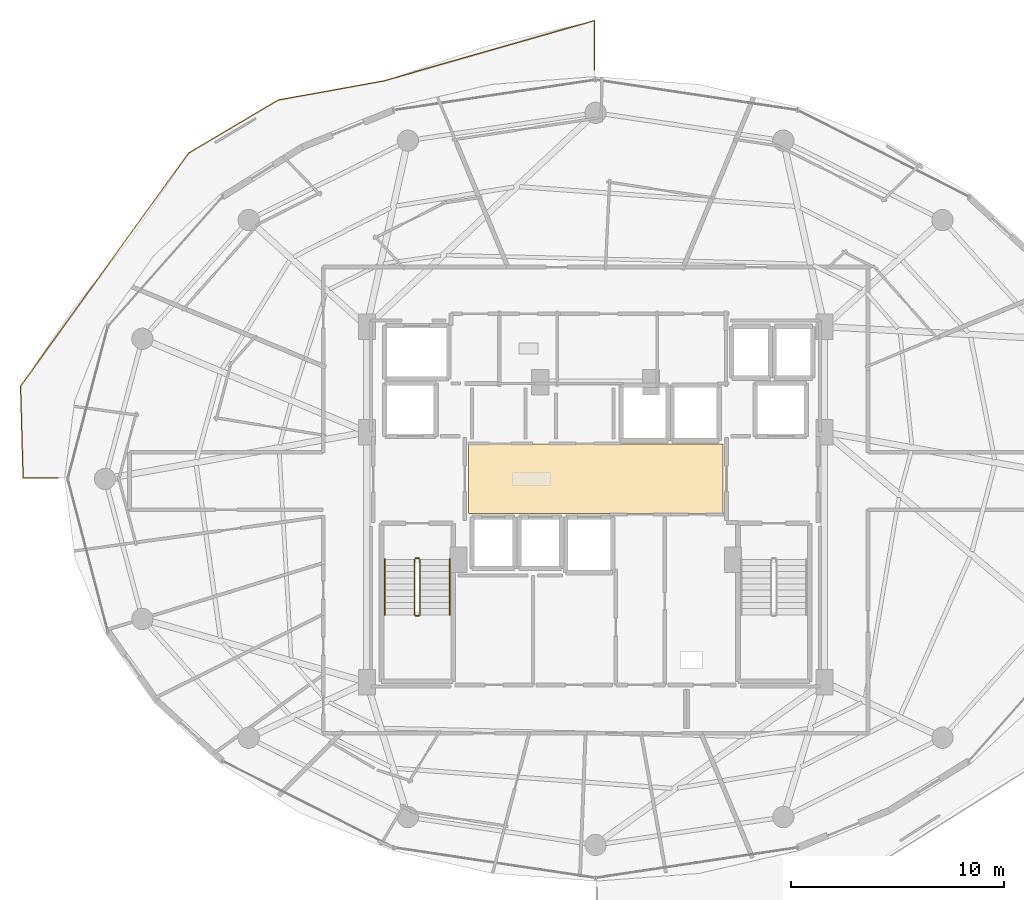
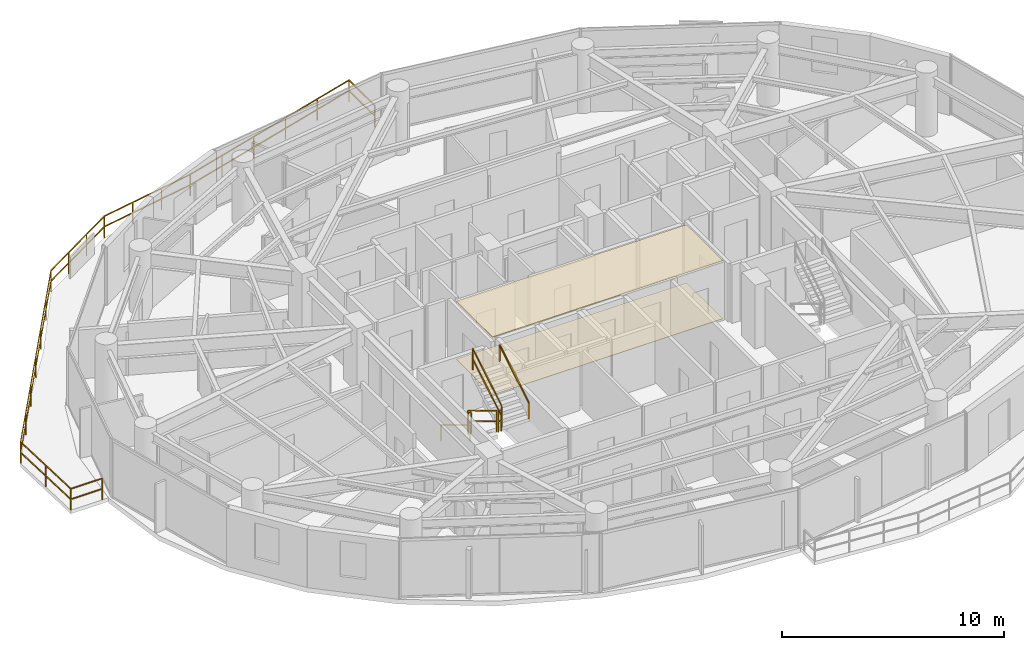
# One storey, part 26 of 29: 8 railings, 2 coverings.
"""IFC4 building model written with IfcOpenShell, lengths in metres."""

from ifc_helpers import new_model, si_unit, direction, frame, origin, origin_2d, place, context, subcontext, project, spatial, polyline, rectangle, outline, extrude, material, layer, layer_set, type_object, element, save


model = new_model("IFC4")

# Units and contexts
model_context = context("Model", 3, precision=1e-05, world=origin(), true_north=direction((0.0, 1.0)))
body_context = subcontext(model_context, "Body", "Model", "MODEL_VIEW")
ifc_project = project(units=[si_unit("LENGTHUNIT", "METRE"), si_unit("AREAUNIT", "SQUARE_METRE"), si_unit("VOLUMEUNIT", "CUBIC_METRE"), si_unit("PLANEANGLEUNIT", "RADIAN"), si_unit("MASSUNIT", "GRAM", prefix="KILO")], contexts=[model_context])

# Site, building, storey
site_placement = place(None, origin())
site = spatial("IfcSite", under=ifc_project, at=site_placement, CompositionType="ELEMENT")
building_placement = place(site_placement, origin())
building = spatial("IfcBuilding", under=site, at=building_placement, Name="Vorneva Point Tower", CompositionType="ELEMENT")
storey_placement = place(building_placement, frame((0.0, 0.0, 171.10009765625)))
storey = spatial("IfcBuildingStorey", under=building, at=storey_placement, Name="L46", CompositionType="ELEMENT", Elevation=171.10009765625)

# Coverings
ifc_material_1 = material(Name="Perforated acoustic aluminium baffle ceiling", Category="aluminium")
ifc_layer_1 = layer(ifc_material_1, 0.030029296875)
ifc_layer_set_1 = layer_set([ifc_layer_1], Name="Perforated acoustic aluminium baffle ceiling")
covering_type_1 = type_object("IfcCoveringType", Name="COV-CEIL-BAF", PredefinedType="CEILING", material=ifc_layer_set_1)
covering_1_placement = place(storey_placement, frame((0.0, 0.0, 3.169921875)))
element("IfcCovering", 1, at=covering_1_placement, inside=storey, type_object=covering_type_1, Name="L46 Lift Lobby Acoustic Baffle Ceiling", PredefinedType="CEILING", context=body_context, shape_type="SweptSolid", body=[
    extrude(outline(polyline([(32.02001953125, 24.3701171875), (43.97998046875, 24.3701171875), (43.97998046875, 27.6298828125), (32.02001953125, 27.6298828125), (32.02001953125, 24.3701171875)])), origin(), (0.0, 0.0, 1.0), 0.034912109375),
])
ifc_material_2 = material(Name="Acoustic wool hospitality carpet", Category="textile")
ifc_layer_2 = layer(ifc_material_2, 0.01806640625)
ifc_layer_set_2 = layer_set([ifc_layer_2], Name="Acoustic wool hospitality carpet")
covering_type_2 = type_object("IfcCoveringType", Name="COV-FLR-CRP", PredefinedType="FLOORING", material=ifc_layer_set_2)
covering_2_placement = place(storey_placement, frame((0.0, 0.0, -0.005126953125)))
element("IfcCovering", 2, at=covering_2_placement, inside=storey, type_object=covering_type_2, Name="L46 Lift Lobby Floor Finish", PredefinedType="FLOORING", context=body_context, shape_type="SweptSolid", body=[
    extrude(outline(polyline([(32.02001953125, 24.3701171875), (43.97998046875, 24.3701171875), (43.97998046875, 27.6298828125), (32.02001953125, 27.6298828125), (32.02001953125, 24.3701171875)])), origin(), (0.0, 0.0, 1.0), 0.02294921875),
])

# Railings
ifc_material_3 = material(Name="Pale anodised aluminium", Category="aluminium")
railing_type_1 = type_object("IfcRailingType", Name="RL-BAL-1200", PredefinedType="BALUSTRADE", material=ifc_material_3)
railing_1_placement = place(storey_placement, frame((11.0986328125, 26.050048828125, 0.0)))
element("IfcRailing", 3, at=railing_1_placement, inside=storey, type_object=railing_type_1, Name="L46 Wave Balcony Balustrade NW.1", PredefinedType="BALUSTRADE", context=body_context, shape_type="SweptSolid", body=[
    extrude(rectangle(XDim=0.048095703125, YDim=0.048095703125, at=origin_2d()), frame((0.0, 0.0, 1.17578125), z_axis=(1.0, 0.0, 0.0), x_axis=(0.0, 1.0, 0.0)), (0.0, 0.0, 1.0), 1.63525390625),
    extrude(rectangle(XDim=0.048095703125, YDim=0.048095703125, at=origin_2d()), frame((0.0, 0.0, 0.60009765625), z_axis=(1.0, 0.0, 0.0), x_axis=(0.0, 1.0, 0.0)), (0.0, 0.0, 1.0), 1.63525390625),
    extrude(rectangle(XDim=0.0419921875, YDim=0.0419921875, at=origin_2d()), origin(), (0.0, 0.0, 1.0), 1.15185546875),
    extrude(rectangle(XDim=0.0419921875, YDim=0.0419921875, at=origin_2d()), frame((1.63525390625, 0.0, 0.0)), (0.0, 0.0, 1.0), 1.15185546875),
])
railing_2_placement = place(storey_placement, frame((37.949951171875, 45.21728515625, 0.0)))
element("IfcRailing", 4, at=railing_2_placement, inside=storey, type_object=railing_type_1, Name="L46 Wave Balcony Balustrade NW.2", PredefinedType="BALUSTRADE", context=body_context, shape_type="SweptSolid", body=[
    extrude(rectangle(XDim=0.048095703125, YDim=0.048095703125, at=origin_2d()), frame((0.0, 0.0, 1.17578125), z_axis=(0.0, 1.0, 0.0), x_axis=(-1.0, 0.0, 0.0)), (0.0, 0.0, 1.0), 2.32080078125),
    extrude(rectangle(XDim=0.048095703125, YDim=0.048095703125, at=origin_2d()), frame((0.0, 0.0, 0.60009765625), z_axis=(0.0, 1.0, 0.0), x_axis=(-1.0, 0.0, 0.0)), (0.0, 0.0, 1.0), 2.32080078125),
    extrude(rectangle(XDim=0.048095703125, YDim=0.048095703125, at=origin_2d()), frame((0.0, 2.32080078125, 1.17578125), z_axis=(-0.961314976181, -0.275451477706, 0.0), x_axis=(0.275451477706, -0.961314976181, 0.0)), (0.0, 0.0, 1.0), 10.285888671875),
    extrude(rectangle(XDim=0.048095703125, YDim=0.048095703125, at=origin_2d()), frame((0.0, 2.32080078125, 0.60009765625), z_axis=(-0.961314976181, -0.275451477706, 0.0), x_axis=(0.275451477706, -0.961314976181, 0.0)), (0.0, 0.0, 1.0), 10.285888671875),
    extrude(rectangle(XDim=0.048095703125, YDim=0.048095703125, at=origin_2d()), frame((-9.887939453125, -0.512451171875, 1.17578125), z_axis=(-0.983942381483, -0.178486385816, 0.0), x_axis=(0.178486385816, -0.983942381483, 0.0)), (0.0, 0.0, 1.0), 5.06103515625),
    extrude(rectangle(XDim=0.048095703125, YDim=0.048095703125, at=origin_2d()), frame((-9.887939453125, -0.512451171875, 0.60009765625), z_axis=(-0.983942381483, -0.178486385816, 0.0), x_axis=(0.178486385816, -0.983942381483, 0.0)), (0.0, 0.0, 1.0), 5.06103515625),
    extrude(rectangle(XDim=0.048095703125, YDim=0.048095703125, at=origin_2d()), frame((-14.86767578125, -1.415771484375, 1.17578125), z_axis=(-0.860395480632, -0.509626938955, 0.0), x_axis=(0.509626938955, -0.860395480632, 0.0)), (0.0, 0.0, 1.0), 4.882568359375),
    extrude(rectangle(XDim=0.048095703125, YDim=0.048095703125, at=origin_2d()), frame((-14.86767578125, -1.415771484375, 0.60009765625), z_axis=(-0.860395480632, -0.509626938955, 0.0), x_axis=(0.509626938955, -0.860395480632, 0.0)), (0.0, 0.0, 1.0), 4.882568359375),
    extrude(rectangle(XDim=0.048095703125, YDim=0.048095703125, at=origin_2d()), frame((-19.068603515625, -3.904052734375, 1.17578125), z_axis=(-0.584957265897, -0.811064114034, 0.0), x_axis=(0.811064114034, -0.584957265897, 0.0)), (0.0, 0.0, 1.0), 13.5087890625),
    extrude(rectangle(XDim=0.048095703125, YDim=0.048095703125, at=origin_2d()), frame((-19.068603515625, -3.904052734375, 0.60009765625), z_axis=(-0.584957265897, -0.811064114034, 0.0), x_axis=(0.811064114034, -0.584957265897, 0.0)), (0.0, 0.0, 1.0), 13.5087890625),
    extrude(rectangle(XDim=0.048095703125, YDim=0.048095703125, at=origin_2d()), frame((-26.970703125, -14.860595703125, 1.17578125), z_axis=(0.027710443314, -0.999615991935, 0.0), x_axis=(0.999615991935, 0.027710443314, 0.0)), (0.0, 0.0, 1.0), 4.308349609375),
    extrude(rectangle(XDim=0.048095703125, YDim=0.048095703125, at=origin_2d()), frame((-26.970703125, -14.860595703125, 0.60009765625), z_axis=(0.027710443314, -0.999615991935, 0.0), x_axis=(0.999615991935, 0.027710443314, 0.0)), (0.0, 0.0, 1.0), 4.308349609375),
    extrude(rectangle(XDim=0.0419921875, YDim=0.0419921875, at=origin_2d()), origin(), (0.0, 0.0, 1.0), 1.15185546875),
    extrude(rectangle(XDim=0.0419921875, YDim=0.0419921875, at=origin_2d()), frame((0.0, 2.32080078125, 0.0)), (0.0, 0.0, 1.0), 1.15185546875),
    extrude(rectangle(XDim=0.0419921875, YDim=0.0419921875, at=origin_2d()), frame((-1.9775390625, 1.754150390625, 0.0)), (0.0, 0.0, 1.0), 1.15185546875),
    extrude(rectangle(XDim=0.0419921875, YDim=0.0419921875, at=origin_2d()), frame((-3.955078125, 1.1875, 0.0)), (0.0, 0.0, 1.0), 1.15185546875),
    extrude(rectangle(XDim=0.0419921875, YDim=0.0419921875, at=origin_2d()), frame((-5.932861328125, 0.620849609375, 0.0)), (0.0, 0.0, 1.0), 1.15185546875),
    extrude(rectangle(XDim=0.0419921875, YDim=0.0419921875, at=origin_2d()), frame((-7.910400390625, 0.05419921875, 0.0)), (0.0, 0.0, 1.0), 1.15185546875),
    extrude(rectangle(XDim=0.0419921875, YDim=0.0419921875, at=origin_2d()), frame((-9.887939453125, -0.512451171875, 0.0)), (0.0, 0.0, 1.0), 1.15185546875),
    extrude(rectangle(XDim=0.0419921875, YDim=0.0419921875, at=origin_2d()), frame((-11.5478515625, -0.8134765625, 0.0)), (0.0, 0.0, 1.0), 1.15185546875),
    extrude(rectangle(XDim=0.0419921875, YDim=0.0419921875, at=origin_2d()), frame((-13.207763671875, -1.11474609375, 0.0)), (0.0, 0.0, 1.0), 1.15185546875),
    extrude(rectangle(XDim=0.0419921875, YDim=0.0419921875, at=origin_2d()), frame((-14.86767578125, -1.415771484375, 0.0)), (0.0, 0.0, 1.0), 1.15185546875),
    extrude(rectangle(XDim=0.0419921875, YDim=0.0419921875, at=origin_2d()), frame((-16.26806640625, -2.2451171875, 0.0)), (0.0, 0.0, 1.0), 1.15185546875),
    extrude(rectangle(XDim=0.0419921875, YDim=0.0419921875, at=origin_2d()), frame((-17.668212890625, -3.07470703125, 0.0)), (0.0, 0.0, 1.0), 1.15185546875),
    extrude(rectangle(XDim=0.0419921875, YDim=0.0419921875, at=origin_2d()), frame((-19.068603515625, -3.904052734375, 0.0)), (0.0, 0.0, 1.0), 1.15185546875),
    extrude(rectangle(XDim=0.0419921875, YDim=0.0419921875, at=origin_2d()), frame((-20.3857421875, -5.730224609375, 0.0)), (0.0, 0.0, 1.0), 1.15185546875),
    extrude(rectangle(XDim=0.0419921875, YDim=0.0419921875, at=origin_2d()), frame((-21.70263671875, -7.55615234375, 0.0)), (0.0, 0.0, 1.0), 1.15185546875),
    extrude(rectangle(XDim=0.0419921875, YDim=0.0419921875, at=origin_2d()), frame((-23.01953125, -9.38232421875, 0.0)), (0.0, 0.0, 1.0), 1.15185546875),
    extrude(rectangle(XDim=0.0419921875, YDim=0.0419921875, at=origin_2d()), frame((-24.336669921875, -11.20849609375, 0.0)), (0.0, 0.0, 1.0), 1.15185546875),
    extrude(rectangle(XDim=0.0419921875, YDim=0.0419921875, at=origin_2d()), frame((-25.65380859375, -13.034423828125, 0.0)), (0.0, 0.0, 1.0), 1.15185546875),
    extrude(rectangle(XDim=0.0419921875, YDim=0.0419921875, at=origin_2d()), frame((-26.970703125, -14.860595703125, 0.0)), (0.0, 0.0, 1.0), 1.15185546875),
    extrude(rectangle(XDim=0.0419921875, YDim=0.0419921875, at=origin_2d()), frame((-26.9111328125, -17.013916015625, 0.0)), (0.0, 0.0, 1.0), 1.15185546875),
    extrude(rectangle(XDim=0.0419921875, YDim=0.0419921875, at=origin_2d()), frame((-26.851318359375, -19.167236328125, 0.0)), (0.0, 0.0, 1.0), 1.15185546875),
])
ifc_material_4 = material(Name="Brushed stainless steel S304", Category="steel")
railing_type_2 = type_object("IfcRailingType", Name="RL-HND-920", PredefinedType="HANDRAIL", material=ifc_material_4)
railing_3_placement = place(storey_placement, frame((28.10009765625, 22.219970703125, 0.1748046875)))
element("IfcRailing", 5, at=railing_3_placement, inside=storey, type_object=railing_type_2, Name="L46 ST1 stair handrail 1", PredefinedType="HANDRAIL", context=body_context, shape_type="SweptSolid", body=[
    extrude(rectangle(XDim=0.048095703125, YDim=0.048095703125, at=origin_2d()), frame((0.0, 0.0, 0.8759765625), z_axis=(0.0, -0.856147343639, 0.516731773728), x_axis=(1.0, 0.0, 0.0)), (0.0, 0.0, 1.0), 3.04833984375),
    extrude(rectangle(XDim=0.0419921875, YDim=0.0419921875, at=origin_2d()), origin(), (0.0, 0.0, 1.0), 0.851806640625),
    extrude(rectangle(XDim=0.0419921875, YDim=0.0419921875, at=origin_2d()), frame((0.0, -2.60986328125, 1.5751953125)), (0.0, 0.0, 1.0), 0.851806640625),
])
railing_4_placement = place(storey_placement, frame((31.14990234375, 19.610107421875, 1.9248046875)))
element("IfcRailing", 6, at=railing_4_placement, inside=storey, type_object=railing_type_2, Name="L46 ST1 stair handrail 2", PredefinedType="HANDRAIL", context=body_context, shape_type="SweptSolid", body=[
    extrude(rectangle(XDim=0.048095703125, YDim=0.048095703125, at=origin_2d()), frame((0.0, 0.0, 0.8759765625), z_axis=(0.0, 0.856147343639, 0.516731773728), x_axis=(-1.0, 0.0, 0.0)), (0.0, 0.0, 1.0), 3.04833984375),
    extrude(rectangle(XDim=0.0419921875, YDim=0.0419921875, at=origin_2d()), origin(), (0.0, 0.0, 1.0), 0.851806640625),
    extrude(rectangle(XDim=0.0419921875, YDim=0.0419921875, at=origin_2d()), frame((0.0, 2.60986328125, 1.5751953125)), (0.0, 0.0, 1.0), 0.851806640625),
])
railing_type_3 = type_object("IfcRailingType", Name="RL-STG-1100", PredefinedType="GUARDRAIL", material=ifc_material_4)
railing_5_placement = place(storey_placement, frame((29.5, 22.219970703125, 0.1748046875)))
element("IfcRailing", 7, at=railing_5_placement, inside=storey, type_object=railing_type_3, Name="L46 ST1 stair guard 1", PredefinedType="GUARDRAIL", context=body_context, shape_type="SweptSolid", body=[
    extrude(rectangle(XDim=0.048095703125, YDim=0.048095703125, at=origin_2d()), frame((0.0, 0.0, 1.17578125), z_axis=(0.0, -0.856147343639, 0.516731773728), x_axis=(1.0, 0.0, 0.0)), (0.0, 0.0, 1.0), 3.04833984375),
    extrude(rectangle(XDim=0.048095703125, YDim=0.048095703125, at=origin_2d()), frame((0.0, 0.0, 0.60009765625), z_axis=(0.0, -0.856147343639, 0.516731773728), x_axis=(1.0, 0.0, 0.0)), (0.0, 0.0, 1.0), 3.04833984375),
    extrude(rectangle(XDim=0.0419921875, YDim=0.0419921875, at=origin_2d()), origin(), (0.0, 0.0, 1.0), 1.15185546875),
    extrude(rectangle(XDim=0.0419921875, YDim=0.0419921875, at=origin_2d()), frame((0.0, -2.60986328125, 1.5751953125)), (0.0, 0.0, 1.0), 1.15185546875),
])
railing_6_placement = place(storey_placement, frame((29.550048828125, 19.56005859375, 1.75)))
element("IfcRailing", 8, at=railing_6_placement, inside=storey, type_object=railing_type_3, Name="L46 ST1 stair guard 2", PredefinedType="GUARDRAIL", context=body_context, shape_type="SweptSolid", body=[
    extrude(rectangle(XDim=0.048095703125, YDim=0.048095703125, at=origin_2d()), frame((0.0, 0.0, 1.17578125), z_axis=(1.0, 0.0, 0.0), x_axis=(0.0, 1.0, 0.0)), (0.0, 0.0, 1.0), 0.14990234375),
    extrude(rectangle(XDim=0.048095703125, YDim=0.048095703125, at=origin_2d()), frame((0.0, 0.0, 0.60009765625), z_axis=(1.0, 0.0, 0.0), x_axis=(0.0, 1.0, 0.0)), (0.0, 0.0, 1.0), 0.14990234375),
    extrude(rectangle(XDim=0.0419921875, YDim=0.0419921875, at=origin_2d()), origin(), (0.0, 0.0, 1.0), 1.15185546875),
    extrude(rectangle(XDim=0.0419921875, YDim=0.0419921875, at=origin_2d()), frame((0.14990234375, 0.0, 0.0)), (0.0, 0.0, 1.0), 1.15185546875),
])
railing_7_placement = place(storey_placement, frame((29.75, 19.610107421875, 1.9248046875)))
element("IfcRailing", 9, at=railing_7_placement, inside=storey, type_object=railing_type_3, Name="L46 ST1 stair guard 3", PredefinedType="GUARDRAIL", context=body_context, shape_type="SweptSolid", body=[
    extrude(rectangle(XDim=0.048095703125, YDim=0.048095703125, at=origin_2d()), frame((0.0, 0.0, 1.17578125), z_axis=(0.0, 0.856147343639, 0.516731773728), x_axis=(-1.0, 0.0, 0.0)), (0.0, 0.0, 1.0), 3.04833984375),
    extrude(rectangle(XDim=0.048095703125, YDim=0.048095703125, at=origin_2d()), frame((0.0, 0.0, 0.60009765625), z_axis=(0.0, 0.856147343639, 0.516731773728), x_axis=(-1.0, 0.0, 0.0)), (0.0, 0.0, 1.0), 3.04833984375),
    extrude(rectangle(XDim=0.0419921875, YDim=0.0419921875, at=origin_2d()), origin(), (0.0, 0.0, 1.0), 1.15185546875),
    extrude(rectangle(XDim=0.0419921875, YDim=0.0419921875, at=origin_2d()), frame((0.0, 2.60986328125, 1.5751953125)), (0.0, 0.0, 1.0), 1.15185546875),
])
railing_8_placement = place(storey_placement, frame((29.550048828125, 22.27001953125, 0.0)))
element("IfcRailing", 10, at=railing_8_placement, inside=storey, type_object=railing_type_3, Name="L46 ST1 stair guard 4", PredefinedType="GUARDRAIL", context=body_context, shape_type="SweptSolid", body=[
    extrude(rectangle(XDim=0.048095703125, YDim=0.048095703125, at=origin_2d()), frame((0.0, 0.0, 1.17578125), z_axis=(1.0, 0.0, 0.0), x_axis=(0.0, 1.0, 0.0)), (0.0, 0.0, 1.0), 0.14990234375),
    extrude(rectangle(XDim=0.048095703125, YDim=0.048095703125, at=origin_2d()), frame((0.0, 0.0, 0.60009765625), z_axis=(1.0, 0.0, 0.0), x_axis=(0.0, 1.0, 0.0)), (0.0, 0.0, 1.0), 0.14990234375),
    extrude(rectangle(XDim=0.0419921875, YDim=0.0419921875, at=origin_2d()), origin(), (0.0, 0.0, 1.0), 1.15185546875),
    extrude(rectangle(XDim=0.0419921875, YDim=0.0419921875, at=origin_2d()), frame((0.14990234375, 0.0, 0.0)), (0.0, 0.0, 1.0), 1.15185546875),
])

save(model, "model.ifc")
